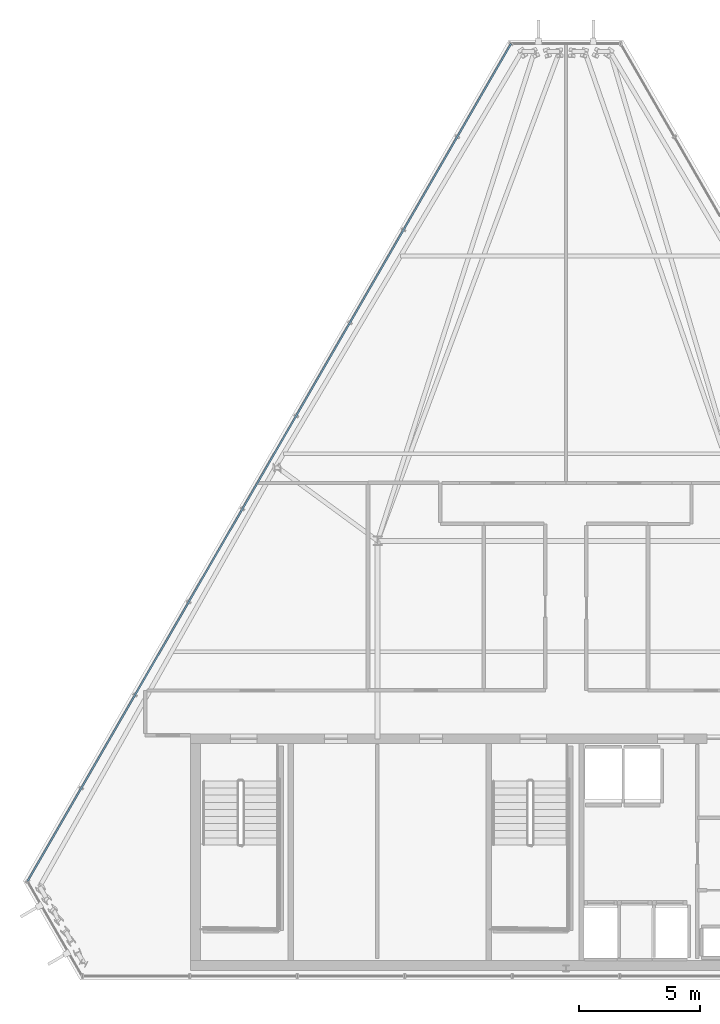
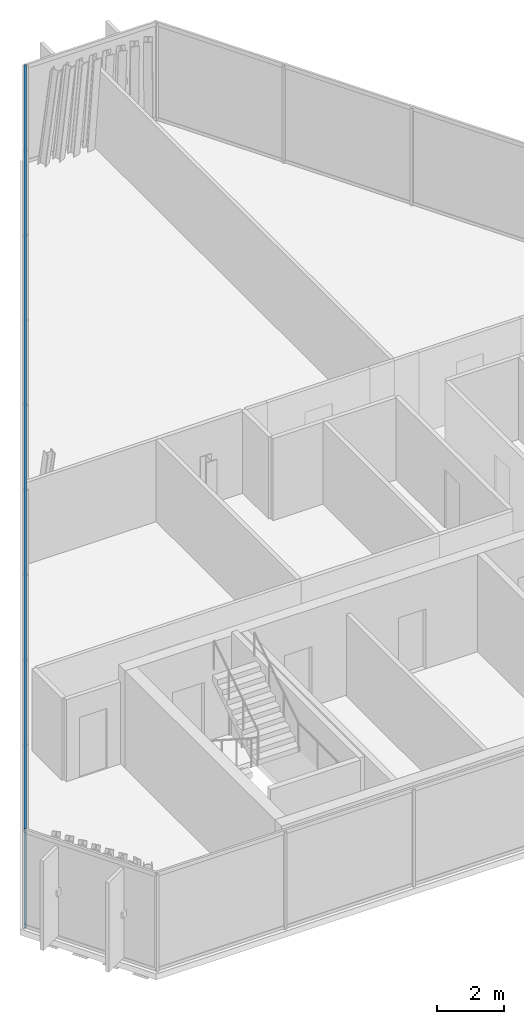
# One storey, part 12 of 32: 2 members, 1 element without a shape of its own.
"""IFC4 building model written with IfcOpenShell, lengths in metres."""

from ifc_helpers import new_model, si_unit, direction, frame, origin, origin_2d, place, context, subcontext, project, spatial, hollow_rectangle, extrude, material, layer, layer_set, material_profile, profile_set, type_object, element, aggregate, save


model = new_model("IFC4")

# Units and contexts
model_context = context("Model", 3, precision=1e-05, world=origin(), true_north=direction((0.0, 1.0)))
body_context = subcontext(model_context, "Body", "Model", "MODEL_VIEW")
ifc_project = project(units=[si_unit("LENGTHUNIT", "METRE"), si_unit("AREAUNIT", "SQUARE_METRE"), si_unit("VOLUMEUNIT", "CUBIC_METRE"), si_unit("PLANEANGLEUNIT", "RADIAN"), si_unit("MASSUNIT", "GRAM", prefix="KILO")], contexts=[model_context])

# Site, building, storey
site_placement = place(None, origin())
site = spatial("IfcSite", under=ifc_project, at=site_placement, CompositionType="ELEMENT")
building_placement = place(site_placement, origin())
building = spatial("IfcBuilding", under=site, at=building_placement, Name="Ndaravel Arena Tower", CompositionType="ELEMENT")
storey_placement = place(building_placement, frame((0.0, 0.0, 290.89990234375)))
storey = spatial("IfcBuildingStorey", under=building, at=storey_placement, Name="L71", CompositionType="ELEMENT", Elevation=290.89990234375)

# Curtain wall, members
ifc_material_1 = material(Name="Aluminium", Category="aluminium")
ifc_layer = layer(ifc_material_1, 0.179931640625)
ifc_layer_set = layer_set([ifc_layer], Name="Aluminium")
curtain_wall_type = type_object("IfcCurtainWallType", Name="CW-SYS-03", PredefinedType="NOTDEFINED", material=ifc_layer_set)
curtain_wall_placement = place(storey_placement, origin())
curtain_wall = element("IfcCurtainWall", 1, at=curtain_wall_placement, inside=storey, type_object=curtain_wall_type, Name="L71 Faceted Crystal Curtain Wall CW-L71-E05", PredefinedType="NOTDEFINED")
ifc_material_2 = material(Name="Aluminium", Category="aluminium")
ifc_material_profile = material_profile(ifc_material_2, hollow_rectangle(XDim=0.074951171875, YDim=0.14990234375, WallThickness=0.00390625, at=origin_2d()), Name="CW TRANSOM 75x150x4")
ifc_profile_set = profile_set([ifc_material_profile], Name="Aluminium")
member_type = type_object("IfcMemberType", Name="MEM-CW-TRN150", PredefinedType="USERDEFINED", material=ifc_profile_set)
member_1_placement = place(storey_placement, frame((39.7275390625, 43.797607421875, 0.0400390625), z_axis=(-0.499998114738, -0.866026492238, 0.0), x_axis=(0.866026492238, -0.499998114738, 0.0)))
member_1 = element("IfcMember", 2, at=member_1_placement, type_object=member_type, Name="CW-L71-E05 Transom 01", ObjectType="TRANSOM", PredefinedType="USERDEFINED", context=body_context, shape_type="SweptSolid", body=[
    extrude(hollow_rectangle(XDim=0.074951171875, YDim=0.14990234375, WallThickness=0.00390625, at=origin_2d()), origin(), (0.0, 0.0, 1.0), 40.070068359375),
])
member_2_placement = place(storey_placement, frame((39.7275390625, 43.797607421875, 3.5400390625), z_axis=(-0.499998114738, -0.866026492238, 0.0), x_axis=(0.866026492238, -0.499998114738, 0.0)))
member_2 = element("IfcMember", 3, at=member_2_placement, type_object=member_type, Name="CW-L71-E05 Transom 02", ObjectType="TRANSOM", PredefinedType="USERDEFINED", context=body_context, shape_type="SweptSolid", body=[
    extrude(hollow_rectangle(XDim=0.074951171875, YDim=0.14990234375, WallThickness=0.00390625, at=origin_2d()), origin(), (0.0, 0.0, 1.0), 40.070068359375),
])
aggregate(curtain_wall, [member_1, member_2])

save(model, "model.ifc")
